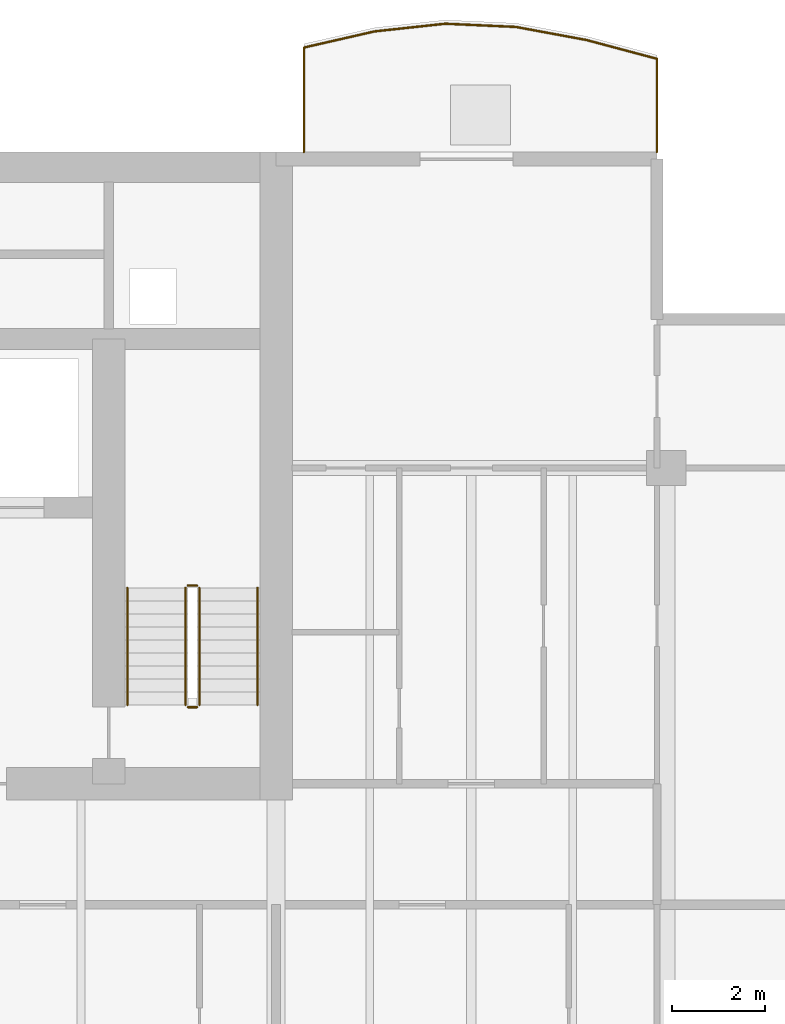
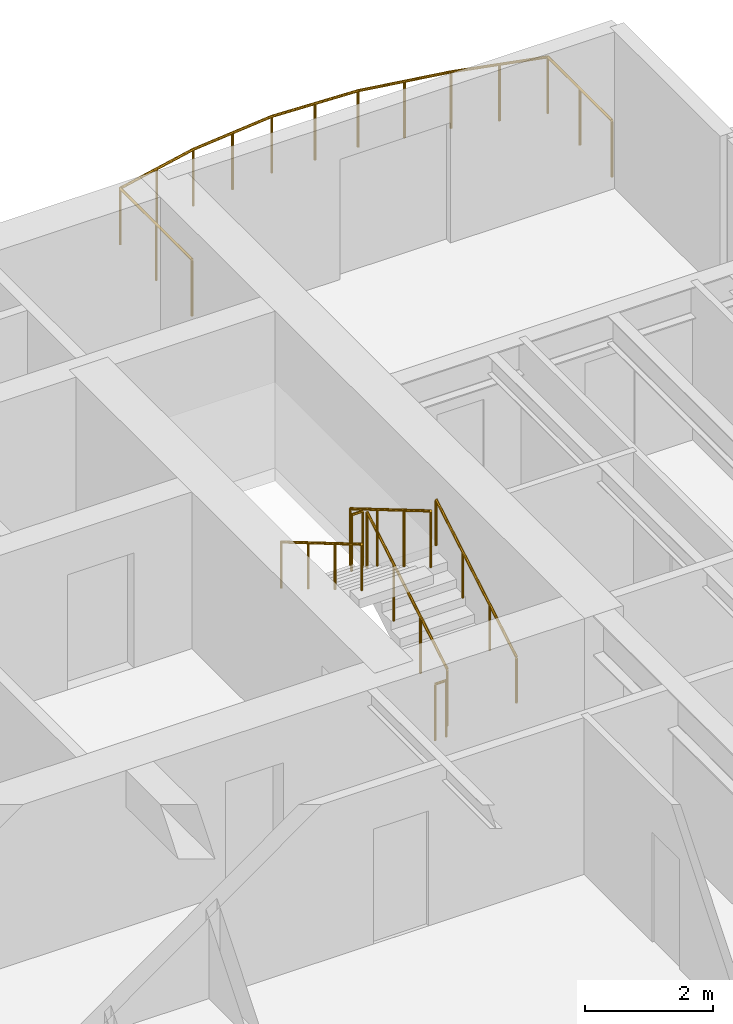
# One storey, part 18 of 19: 7 railings.
"""IFC4 building model written with IfcOpenShell, lengths in metres."""

from ifc_helpers import new_model, si_unit, direction, frame, origin, origin_2d, place, context, subcontext, project, spatial, circle, extrude, material, type_object, element, save


model = new_model("IFC4")

# Units and contexts
model_context = context("Model", 3, precision=1e-05, world=origin(), true_north=direction((0.0, 1.0)))
body_context = subcontext(model_context, "Body", "Model", "MODEL_VIEW")
ifc_project = project(units=[si_unit("LENGTHUNIT", "METRE"), si_unit("AREAUNIT", "SQUARE_METRE"), si_unit("VOLUMEUNIT", "CUBIC_METRE"), si_unit("PLANEANGLEUNIT", "RADIAN"), si_unit("MASSUNIT", "GRAM", prefix="KILO")], contexts=[model_context])

# Site, building, storey
site_placement = place(None, origin())
site = spatial("IfcSite", under=ifc_project, at=site_placement, CompositionType="ELEMENT")
building_placement = place(site_placement, origin())
building = spatial("IfcBuilding", under=site, at=building_placement, Name="Caelmar Bay Residences", CompositionType="ELEMENT")
storey_placement = place(building_placement, frame((0.0, 0.0, 218.10009765625)))
storey = spatial("IfcBuildingStorey", under=building, at=storey_placement, Name="L61", CompositionType="ELEMENT", Elevation=218.10009765625)

# Railings
ifc_material_1 = material(Name="Anodised bronze handrail with laminated hurricane glass infill", Category="glass")
railing_type_1 = type_object("IfcRailingType", Name="RL-BAL-1100", PredefinedType="BALUSTRADE", material=ifc_material_1)
railing_1_placement = place(storey_placement, frame((67.699951171875, 50.60009765625, 0.0)))
element("IfcRailing", 1, at=railing_1_placement, inside=storey, type_object=railing_type_1, Name="L61 north_east Balcony Balustrade", PredefinedType="BALUSTRADE", context=body_context, shape_type="SweptSolid", body=[
    extrude(circle(Radius=0.02392578125, at=origin_2d()), frame((0.0, 0.0, 1.076171875), z_axis=(0.0, 1.0, 0.0), x_axis=(-1.0, 0.0, 0.0)), (0.0, 0.0, 1.0), 2.0087890625),
    extrude(circle(Radius=0.02392578125, at=origin_2d()), frame((0.0, 2.0087890625, 1.076171875), z_axis=(-0.966206600501, 0.25776889872, 0.0), x_axis=(-0.25776889872, -0.966206600501, 0.0)), (0.0, 0.0, 1.0), 1.5732421875),
    extrude(circle(Radius=0.02392578125, at=origin_2d()), frame((-1.52001953125, 2.414306640625, 1.076171875), z_axis=(-0.983309224326, 0.181942214331, 0.0), x_axis=(-0.181942214331, -0.983309224326, 0.0)), (0.0, 0.0, 1.0), 1.5458984375),
    extrude(circle(Radius=0.02392578125, at=origin_2d()), frame((-3.0400390625, 2.695556640625, 1.076171875), z_axis=(-0.998975805625, 0.045247538899, 0.0), x_axis=(-0.045247538899, -0.998975805625, 0.0)), (0.0, 0.0, 1.0), 1.521484375),
    extrude(circle(Radius=0.02392578125, at=origin_2d()), frame((-4.56005859375, 2.764404296875, 1.076171875), z_axis=(-0.994138121061, -0.108117511319, 0.0), x_axis=(0.108117511319, -0.994138121061, 0.0)), (0.0, 0.0, 1.0), 1.52880859375),
    extrude(circle(Radius=0.02392578125, at=origin_2d()), frame((-6.079833984375, 2.59912109375, 1.076171875), z_axis=(-0.974861421848, -0.222812046786, 0.0), x_axis=(0.222812046786, -0.974861421848, 0.0)), (0.0, 0.0, 1.0), 1.559326171875),
    extrude(circle(Radius=0.02392578125, at=origin_2d()), frame((-7.599853515625, 2.251708984375, 1.076171875), z_axis=(0.0, -1.0, 0.0), x_axis=(1.0, 0.0, 0.0)), (0.0, 0.0, 1.0), 2.251708984375),
    extrude(circle(Radius=0.02099609375, at=origin_2d()), origin(), (0.0, 0.0, 1.0), 1.052001953125),
    extrude(circle(Radius=0.02099609375, at=origin_2d()), frame((0.0, 1.00439453125, 0.0)), (0.0, 0.0, 1.0), 1.052001953125),
    extrude(circle(Radius=0.02099609375, at=origin_2d()), frame((0.0, 2.0087890625, 0.0)), (0.0, 0.0, 1.0), 1.052001953125),
    extrude(circle(Radius=0.02099609375, at=origin_2d()), frame((-0.760009765625, 2.21142578125, 0.0)), (0.0, 0.0, 1.0), 1.052001953125),
    extrude(circle(Radius=0.02099609375, at=origin_2d()), frame((-1.52001953125, 2.414306640625, 0.0)), (0.0, 0.0, 1.0), 1.052001953125),
    extrude(circle(Radius=0.02099609375, at=origin_2d()), frame((-2.280029296875, 2.554931640625, 0.0)), (0.0, 0.0, 1.0), 1.052001953125),
    extrude(circle(Radius=0.02099609375, at=origin_2d()), frame((-3.0400390625, 2.695556640625, 0.0)), (0.0, 0.0, 1.0), 1.052001953125),
    extrude(circle(Radius=0.02099609375, at=origin_2d()), frame((-3.800048828125, 2.72998046875, 0.0)), (0.0, 0.0, 1.0), 1.052001953125),
    extrude(circle(Radius=0.02099609375, at=origin_2d()), frame((-4.56005859375, 2.764404296875, 0.0)), (0.0, 0.0, 1.0), 1.052001953125),
    extrude(circle(Radius=0.02099609375, at=origin_2d()), frame((-5.31982421875, 2.681640625, 0.0)), (0.0, 0.0, 1.0), 1.052001953125),
    extrude(circle(Radius=0.02099609375, at=origin_2d()), frame((-6.079833984375, 2.59912109375, 0.0)), (0.0, 0.0, 1.0), 1.052001953125),
    extrude(circle(Radius=0.02099609375, at=origin_2d()), frame((-6.83984375, 2.42529296875, 0.0)), (0.0, 0.0, 1.0), 1.052001953125),
    extrude(circle(Radius=0.02099609375, at=origin_2d()), frame((-7.599853515625, 2.251708984375, 0.0)), (0.0, 0.0, 1.0), 1.052001953125),
    extrude(circle(Radius=0.02099609375, at=origin_2d()), frame((-7.599853515625, 1.1259765625, 0.0)), (0.0, 0.0, 1.0), 1.052001953125),
    extrude(circle(Radius=0.02099609375, at=origin_2d()), frame((-7.599853515625, 0.0, 0.0)), (0.0, 0.0, 1.0), 1.052001953125),
])
ifc_material_2 = material(Name="Painted galvanized steel stair guard 1100 mm", Category="steel")
railing_type_2 = type_object("IfcRailingType", Name="RL-GRD-1100", PredefinedType="GUARDRAIL", material=ifc_material_2)
railing_2_placement = place(storey_placement, frame((57.85009765625, 38.699951171875, 0.164794921875)))
element("IfcRailing", 2, at=railing_2_placement, inside=storey, type_object=railing_type_2, Name="L61 ST2 stair guard 1", PredefinedType="GUARDRAIL", context=body_context, shape_type="SweptSolid", body=[
    extrude(circle(Radius=0.02392578125, at=origin_2d()), frame((0.0, 0.0, 1.076171875), z_axis=(0.0, 0.86152411907, 0.507716645641), x_axis=(-1.0, 0.0, 0.0)), (0.0, 0.0, 1.0), 2.925048828125),
    extrude(circle(Radius=0.02099609375, at=origin_2d()), origin(), (0.0, 0.0, 1.0), 1.052001953125),
    extrude(circle(Radius=0.02099609375, at=origin_2d()), frame((0.0, 0.840087890625, 0.4951171875)), (0.0, 0.0, 1.0), 1.052001953125),
    extrude(circle(Radius=0.02099609375, at=origin_2d()), frame((0.0, 1.679931640625, 0.989990234375)), (0.0, 0.0, 1.0), 1.052001953125),
    extrude(circle(Radius=0.02099609375, at=origin_2d()), frame((0.0, 2.52001953125, 1.485107421875)), (0.0, 0.0, 1.0), 1.052001953125),
])
railing_3_placement = place(storey_placement, frame((57.800048828125, 41.27001953125, 1.64990234375)))
element("IfcRailing", 3, at=railing_3_placement, inside=storey, type_object=railing_type_2, Name="L61 ST2 stair guard 2", PredefinedType="GUARDRAIL", context=body_context, shape_type="SweptSolid", body=[
    extrude(circle(Radius=0.02392578125, at=origin_2d()), frame((0.0, 0.0, 1.076171875), z_axis=(-1.0, 0.0, 0.0), x_axis=(0.0, -1.0, 0.0)), (0.0, 0.0, 1.0), 0.199951171875),
    extrude(circle(Radius=0.02099609375, at=origin_2d()), origin(), (0.0, 0.0, 1.0), 1.052001953125),
    extrude(circle(Radius=0.02099609375, at=origin_2d()), frame((-0.199951171875, 0.0, 0.0)), (0.0, 0.0, 1.0), 1.052001953125),
])
railing_4_placement = place(storey_placement, frame((57.550048828125, 41.219970703125, 1.81494140625)))
element("IfcRailing", 4, at=railing_4_placement, inside=storey, type_object=railing_type_2, Name="L61 ST2 stair guard 3", PredefinedType="GUARDRAIL", context=body_context, shape_type="SweptSolid", body=[
    extrude(circle(Radius=0.02392578125, at=origin_2d()), frame((0.0, 0.0, 1.076171875), z_axis=(0.0, -0.861560626758, 0.507654692109), x_axis=(1.0, 0.0, 0.0)), (0.0, 0.0, 1.0), 2.925048828125),
    extrude(circle(Radius=0.02099609375, at=origin_2d()), origin(), (0.0, 0.0, 1.0), 1.052001953125),
    extrude(circle(Radius=0.02099609375, at=origin_2d()), frame((0.0, -0.840087890625, 0.494873046875)), (0.0, 0.0, 1.0), 1.052001953125),
    extrude(circle(Radius=0.02099609375, at=origin_2d()), frame((0.0, -1.679931640625, 0.989990234375)), (0.0, 0.0, 1.0), 1.052001953125),
    extrude(circle(Radius=0.02099609375, at=origin_2d()), frame((0.0, -2.52001953125, 1.48486328125)), (0.0, 0.0, 1.0), 1.052001953125),
])
railing_5_placement = place(storey_placement, frame((57.800048828125, 38.64990234375, 0.0)))
element("IfcRailing", 5, at=railing_5_placement, inside=storey, type_object=railing_type_2, Name="L61 ST2 stair guard 4", PredefinedType="GUARDRAIL", context=body_context, shape_type="SweptSolid", body=[
    extrude(circle(Radius=0.02392578125, at=origin_2d()), frame((0.0, 0.0, 1.076171875), z_axis=(-1.0, 0.0, 0.0), x_axis=(0.0, -1.0, 0.0)), (0.0, 0.0, 1.0), 0.199951171875),
    extrude(circle(Radius=0.02099609375, at=origin_2d()), origin(), (0.0, 0.0, 1.0), 1.052001953125),
    extrude(circle(Radius=0.02099609375, at=origin_2d()), frame((-0.199951171875, 0.0, 0.0)), (0.0, 0.0, 1.0), 1.052001953125),
])
ifc_material_3 = material(Name="Brushed bronze stainless-steel tubular handrail 900 mm", Category="steel")
railing_type_3 = type_object("IfcRailingType", Name="RL-HND-900", PredefinedType="HANDRAIL", material=ifc_material_3)
railing_6_placement = place(storey_placement, frame((59.10009765625, 38.699951171875, 0.164794921875)))
element("IfcRailing", 6, at=railing_6_placement, inside=storey, type_object=railing_type_3, Name="L61 ST2 stair handrail 1", PredefinedType="HANDRAIL", context=body_context, shape_type="SweptSolid", body=[
    extrude(circle(Radius=0.02392578125, at=origin_2d()), frame((0.0, 0.0, 0.8759765625), z_axis=(0.0, 0.86152411907, 0.507716645641), x_axis=(-1.0, 0.0, 0.0)), (0.0, 0.0, 1.0), 2.925048828125),
    extrude(circle(Radius=0.02099609375, at=origin_2d()), origin(), (0.0, 0.0, 1.0), 0.851806640625),
    extrude(circle(Radius=0.02099609375, at=origin_2d()), frame((0.0, 0.840087890625, 0.4951171875)), (0.0, 0.0, 1.0), 0.851806640625),
    extrude(circle(Radius=0.02099609375, at=origin_2d()), frame((0.0, 1.679931640625, 0.989990234375)), (0.0, 0.0, 1.0), 0.851806640625),
    extrude(circle(Radius=0.02099609375, at=origin_2d()), frame((0.0, 2.52001953125, 1.485107421875)), (0.0, 0.0, 1.0), 0.851806640625),
])
railing_7_placement = place(storey_placement, frame((56.300048828125, 41.219970703125, 1.81494140625)))
element("IfcRailing", 7, at=railing_7_placement, inside=storey, type_object=railing_type_3, Name="L61 ST2 stair handrail 2", PredefinedType="HANDRAIL", context=body_context, shape_type="SweptSolid", body=[
    extrude(circle(Radius=0.02392578125, at=origin_2d()), frame((0.0, 0.0, 0.8759765625), z_axis=(0.0, -0.861560626758, 0.507654692109), x_axis=(1.0, 0.0, 0.0)), (0.0, 0.0, 1.0), 2.925048828125),
    extrude(circle(Radius=0.02099609375, at=origin_2d()), origin(), (0.0, 0.0, 1.0), 0.851806640625),
    extrude(circle(Radius=0.02099609375, at=origin_2d()), frame((0.0, -0.840087890625, 0.494873046875)), (0.0, 0.0, 1.0), 0.851806640625),
    extrude(circle(Radius=0.02099609375, at=origin_2d()), frame((0.0, -1.679931640625, 0.989990234375)), (0.0, 0.0, 1.0), 0.851806640625),
    extrude(circle(Radius=0.02099609375, at=origin_2d()), frame((0.0, -2.52001953125, 1.48486328125)), (0.0, 0.0, 1.0), 0.851806640625),
])

save(model, "model.ifc")
